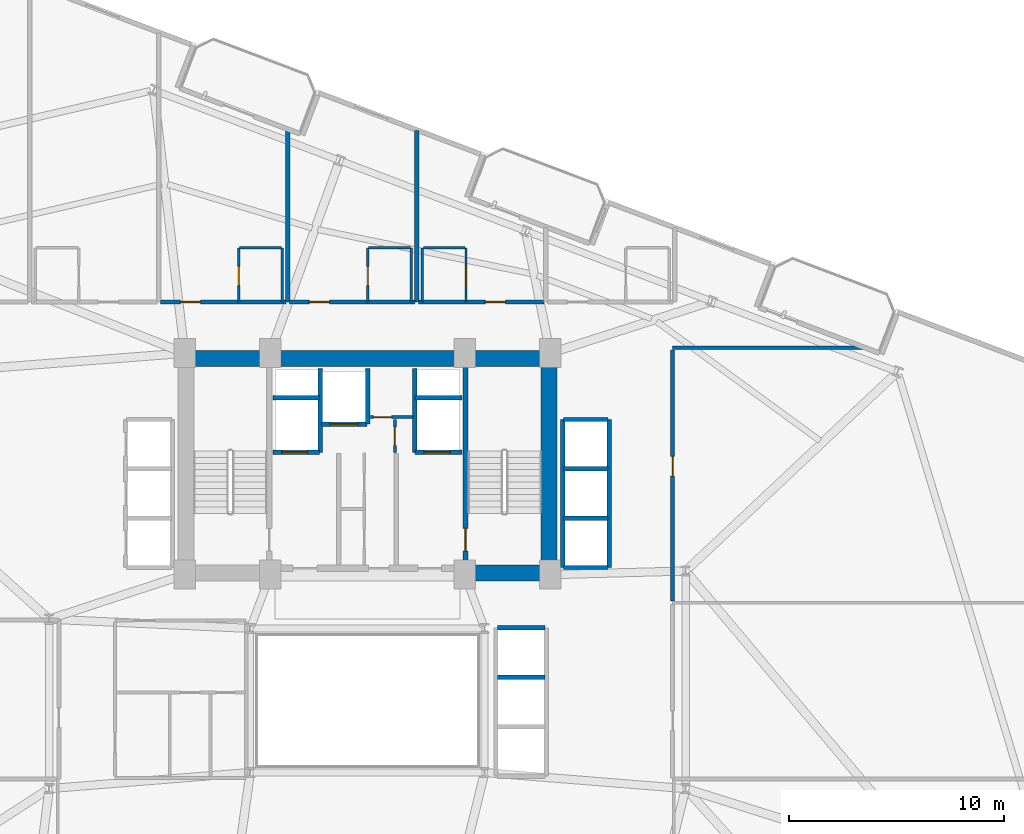
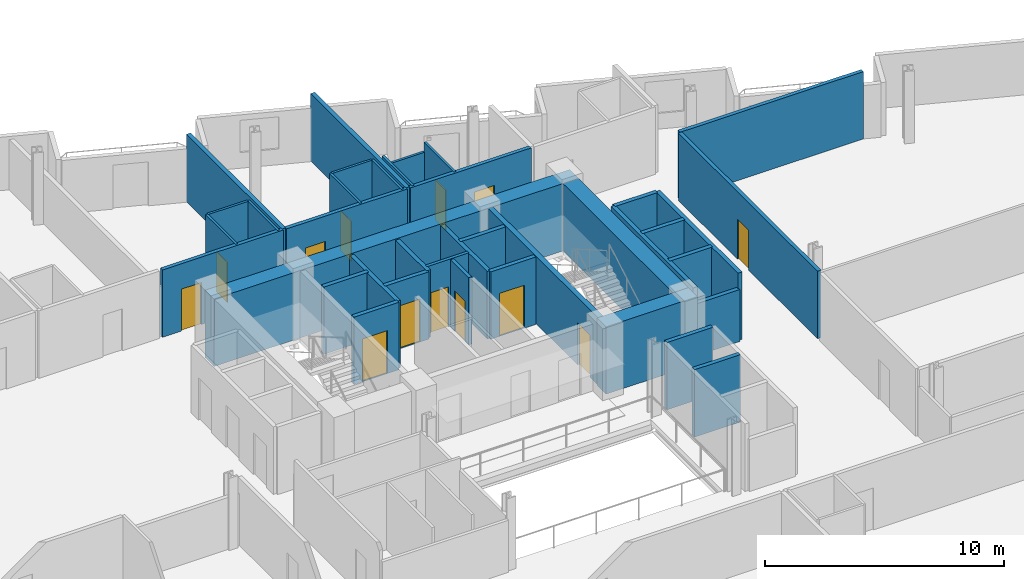
# One storey, part 19 of 24: 38 walls, 13 doors, 13 openings.
"""IFC4 building model written with IfcOpenShell, lengths in metres."""

from ifc_helpers import new_model, si_unit, direction, frame, frame_2d, origin, place, context, subcontext, project, spatial, rectangle, extrude, material, layer, layer_set, type_object, element, fill, save


model = new_model("IFC4")

# Units and contexts
model_context = context("Model", 3, precision=1e-05, world=origin(), true_north=direction((0.0, 1.0)))
body_context = subcontext(model_context, "Body", "Model", "MODEL_VIEW")
ifc_project = project(units=[si_unit("LENGTHUNIT", "METRE"), si_unit("AREAUNIT", "SQUARE_METRE"), si_unit("VOLUMEUNIT", "CUBIC_METRE"), si_unit("PLANEANGLEUNIT", "RADIAN"), si_unit("MASSUNIT", "GRAM", prefix="KILO")], contexts=[model_context])

# Site, building, storey
site_placement = place(None, origin())
site = spatial("IfcSite", under=ifc_project, at=site_placement, CompositionType="ELEMENT")
building_placement = place(site_placement, origin())
building = spatial("IfcBuilding", under=site, at=building_placement, Name="Varnelok Gate Tower", CompositionType="ELEMENT")
storey_placement = place(building_placement, frame((0.0, 0.0, 94.699951171875)))
storey = spatial("IfcBuildingStorey", under=building, at=storey_placement, Name="L23", CompositionType="ELEMENT", Elevation=94.699951171875)

# Wall, opening, door
ifc_material_1 = material(Name="Gypsum Plasterboard Acoustic Partition", Category="gypsum")
ifc_layer_1 = layer(ifc_material_1, 0.179931640625)
ifc_layer_set_1 = layer_set([ifc_layer_1], Name="Gypsum Plasterboard Acoustic Partition")
wall_type_1 = type_object("IfcWallType", Name="PW-CORR-180", PredefinedType="PARTITIONING", material=ifc_layer_set_1)
wall_1_placement = place(storey_placement, frame((29.580078125, 41.429931640625, 0.0), z_axis=(0.0, 0.0, 1.0), x_axis=(1.0, 0.0, 0.0)))
wall_1 = element("IfcWall", 1, at=wall_1_placement, inside=storey, type_object=wall_type_1, Name="Interior Partition", PredefinedType="PARTITIONING", context=body_context, shape_type="SweptSolid", body=[
    extrude(rectangle(XDim=5.83984375, YDim=0.179931640625, at=frame_2d((2.919921875, 0.0))), origin(), (0.0, 0.0, 1.0), 3.449951171875),
])
opening_1_placement = place(wall_1_placement, frame((0.917236328125, 0.0, 0.0)))
opening_1 = element("IfcOpeningElement", 2, at=opening_1_placement, cuts=wall_1, Name="Opening D-HT", PredefinedType="OPENING", context=body_context, shape_type="SweptSolid", body=[
    extrude(rectangle(XDim=0.949951171875, YDim=2.14990234375, at=frame_2d((0.47509765625, 1.074951171875))), frame((0.0, 0.099853515625, 0.0), z_axis=(0.0, -1.0, 0.0), x_axis=(1.0, 0.0, 0.0)), (0.0, 0.0, 1.0), 0.199951171875),
])
ifc_material_2 = material(Name="Engineered Hardwood Timber", Category="wood")
door_type_1 = type_object("IfcDoorType", Name="DR-HTL-950", OperationType="NOTDEFINED", PredefinedType="DOOR", material=ifc_material_2)
door_1_placement = place(opening_1_placement, origin())
door_1 = element("IfcDoor", 3, at=door_1_placement, inside=storey, type_object=door_type_1, Name="L23 Guest Room 07 Entrance Door", OperationType="SINGLE_SWING_RIGHT", OverallHeight=2.14990234375, OverallWidth=0.949951171875, PredefinedType="DOOR", context=body_context, shape_type="SweptSolid", body=[
    extrude(rectangle(XDim=0.949951171875, YDim=2.14990234375, at=frame_2d((0.47509765625, 1.074951171875))), frame((0.0, 0.02490234375, 0.0), z_axis=(0.0, -1.0, 0.0), x_axis=(1.0, 0.0, 0.0)), (0.0, 0.0, 1.0), 0.050048828125),
])
fill(opening_1, door_1)

wall_2_placement = place(storey_placement, frame((35.580078125, 41.429931640625, 0.0), z_axis=(0.0, 0.0, 1.0), x_axis=(1.0, 0.0, 0.0)))
wall_2 = element("IfcWall", 4, at=wall_2_placement, inside=storey, type_object=wall_type_1, Name="Interior Partition", PredefinedType="PARTITIONING", context=body_context, shape_type="SweptSolid", body=[
    extrude(rectangle(XDim=5.83984375, YDim=0.179931640625, at=frame_2d((2.919921875, 0.0))), origin(), (0.0, 0.0, 1.0), 3.449951171875),
])
opening_2_placement = place(wall_2_placement, frame((0.917236328125, 0.0, 0.0)))
opening_2 = element("IfcOpeningElement", 5, at=opening_2_placement, cuts=wall_2, Name="Opening D-HT", PredefinedType="OPENING", context=body_context, shape_type="SweptSolid", body=[
    extrude(rectangle(XDim=0.949951171875, YDim=2.14990234375, at=frame_2d((0.47509765625, 1.074951171875))), frame((0.0, 0.099853515625, 0.0), z_axis=(0.0, -1.0, 0.0), x_axis=(1.0, 0.0, 0.0)), (0.0, 0.0, 1.0), 0.199951171875),
])
door_2_placement = place(opening_2_placement, origin())
door_2 = element("IfcDoor", 6, at=door_2_placement, inside=storey, type_object=door_type_1, Name="L23 Guest Room 08 Entrance Door", OperationType="SINGLE_SWING_LEFT", OverallHeight=2.14990234375, OverallWidth=0.949951171875, PredefinedType="DOOR", context=body_context, shape_type="SweptSolid", body=[
    extrude(rectangle(XDim=0.949951171875, YDim=2.14990234375, at=frame_2d((0.47509765625, 1.074951171875))), frame((0.0, 0.02490234375, 0.0), z_axis=(0.0, -1.0, 0.0), x_axis=(1.0, 0.0, 0.0)), (0.0, 0.0, 1.0), 0.050048828125),
])
fill(opening_2, door_2)

wall_3_placement = place(storey_placement, frame((41.580078125, 41.429931640625, 0.0), z_axis=(0.0, 0.0, 1.0), x_axis=(1.0, 0.0, 0.0)))
wall_3 = element("IfcWall", 7, at=wall_3_placement, inside=storey, type_object=wall_type_1, Name="Interior Partition", PredefinedType="PARTITIONING", context=body_context, shape_type="SweptSolid", body=[
    extrude(rectangle(XDim=5.83984375, YDim=0.179931640625, at=frame_2d((2.919921875, 0.0))), origin(), (0.0, 0.0, 1.0), 3.449951171875),
])
opening_3_placement = place(wall_3_placement, frame((3.101318359375, 0.0, 0.0)))
opening_3 = element("IfcOpeningElement", 8, at=opening_3_placement, cuts=wall_3, Name="Opening D-HT", PredefinedType="OPENING", context=body_context, shape_type="SweptSolid", body=[
    extrude(rectangle(XDim=0.949951171875, YDim=2.14990234375, at=frame_2d((0.47509765625, 1.074951171875))), frame((0.0, 0.099853515625, 0.0), z_axis=(0.0, -1.0, 0.0), x_axis=(1.0, 0.0, 0.0)), (0.0, 0.0, 1.0), 0.199951171875),
])
door_3_placement = place(opening_3_placement, origin())
door_3 = element("IfcDoor", 9, at=door_3_placement, inside=storey, type_object=door_type_1, Name="L23 Guest Room 09 Entrance Door", OperationType="SINGLE_SWING_RIGHT", OverallHeight=2.14990234375, OverallWidth=0.949951171875, PredefinedType="DOOR", context=body_context, shape_type="SweptSolid", body=[
    extrude(rectangle(XDim=0.949951171875, YDim=2.14990234375, at=frame_2d((0.47509765625, 1.074951171875))), frame((0.0, 0.02490234375, 0.0), z_axis=(0.0, -1.0, 0.0), x_axis=(1.0, 0.0, 0.0)), (0.0, 0.0, 1.0), 0.050048828125),
])
fill(opening_3, door_3)

wall_4_placement = place(storey_placement, frame((53.389892578125, 27.530029296875, 0.0), z_axis=(0.0, 0.0, 1.0), x_axis=(0.0, 1.0, 0.0)))
wall_4 = element("IfcWall", 10, at=wall_4_placement, inside=storey, type_object=wall_type_1, Name="Interior Partition", PredefinedType="PARTITIONING", context=body_context, shape_type="SweptSolid", body=[
    extrude(rectangle(XDim=11.669921875, YDim=0.179931640625, at=frame_2d((5.8349609375, 0.0))), origin(), (0.0, 0.0, 1.0), 3.449951171875),
])
opening_4_placement = place(wall_4_placement, frame((5.800048828125, 0.0, 0.0)))
opening_4 = element("IfcOpeningElement", 11, at=opening_4_placement, cuts=wall_4, Name="Opening D-I3", PredefinedType="OPENING", context=body_context, shape_type="SweptSolid", body=[
    extrude(rectangle(XDim=0.919921875, YDim=2.050048828125, at=frame_2d((0.4599609375, 1.02490234375))), frame((0.0, 0.099853515625, 0.0), z_axis=(0.0, -1.0, 0.0), x_axis=(1.0, 0.0, 0.0)), (0.0, 0.0, 1.0), 0.199951171875),
])
door_type_2 = type_object("IfcDoorType", Name="DR-INT-920", OperationType="NOTDEFINED", PredefinedType="DOOR", material=ifc_material_2)
door_4_placement = place(opening_4_placement, origin())
door_4 = element("IfcDoor", 12, at=door_4_placement, inside=storey, type_object=door_type_2, Name="L23 East Suite 2 Door", OperationType="SINGLE_SWING_RIGHT", OverallHeight=2.050048828125, OverallWidth=0.919921875, PredefinedType="DOOR", context=body_context, shape_type="SweptSolid", body=[
    extrude(rectangle(XDim=0.919921875, YDim=2.050048828125, at=frame_2d((0.4599609375, 1.02490234375))), frame((0.0, 0.02490234375, 0.0), z_axis=(0.0, -1.0, 0.0), x_axis=(1.0, 0.0, 0.0)), (0.0, 0.0, 1.0), 0.050048828125),
])
fill(opening_4, door_4)

# Walls
wall_5_placement = place(storey_placement, frame((53.389892578125, 39.300048828125, 0.0), z_axis=(0.0, 0.0, 1.0), x_axis=(1.0, 0.0, 0.0)))
element("IfcWall", 13, at=wall_5_placement, inside=storey, type_object=wall_type_1, Name="Interior Partition", PredefinedType="PARTITIONING", context=body_context, shape_type="SweptSolid", body=[
    extrude(rectangle(XDim=8.87646484375, YDim=0.179931640625, at=frame_2d((4.438232421875, 0.0))), origin(), (0.0, 0.0, 1.0), 3.449951171875),
])
ifc_layer_2 = layer(ifc_material_1, 0.114990234375)
ifc_layer_set_2 = layer_set([ifc_layer_2], Name="Gypsum Plasterboard Acoustic Partition")
wall_type_2 = type_object("IfcWallType", Name="PW-ENS-125", PredefinedType="PARTITIONING", material=ifc_layer_set_2)
wall_6_placement = place(storey_placement, frame((33.256103515625, 43.949951171875, 0.0), z_axis=(0.0, 0.0, 1.0), x_axis=(1.0, 0.0, 0.0)))
element("IfcWall", 14, at=wall_6_placement, inside=storey, type_object=wall_type_2, Name="Interior Partition", PredefinedType="PARTITIONING", context=body_context, shape_type="SweptSolid", body=[
    extrude(rectangle(XDim=1.94384765625, YDim=0.114990234375, at=frame_2d((0.971923828125, 0.0))), origin(), (0.0, 0.0, 1.0), 3.449951171875),
])

# Wall, opening, door
wall_7_placement = place(storey_placement, frame((33.216064453125, 41.429931640625, 0.0), z_axis=(0.0, 0.0, 1.0), x_axis=(0.0, 1.0, 0.0)))
wall_7 = element("IfcWall", 15, at=wall_7_placement, inside=storey, type_object=wall_type_2, Name="Interior Partition", PredefinedType="PARTITIONING", context=body_context, shape_type="SweptSolid", body=[
    extrude(rectangle(XDim=2.52001953125, YDim=0.114990234375, at=frame_2d((1.260009765625, 0.0))), origin(), (0.0, 0.0, 1.0), 3.449951171875),
])
opening_5_placement = place(wall_7_placement, frame((0.760009765625, 0.0, 0.0)))
opening_5 = element("IfcOpeningElement", 16, at=opening_5_placement, cuts=wall_7, Name="Opening D-WC", PredefinedType="OPENING", context=body_context, shape_type="SweptSolid", body=[
    extrude(rectangle(XDim=0.89990234375, YDim=2.050048828125, at=frame_2d((0.449951171875, 1.02490234375))), frame((0.0, 0.0673828125, 0.0), z_axis=(0.0, -1.0, 0.0), x_axis=(1.0, 0.0, 0.0)), (0.0, 0.0, 1.0), 0.135009765625),
])
door_type_3 = type_object("IfcDoorType", Name="DR-BATH-900", OperationType="NOTDEFINED", PredefinedType="DOOR", material=ifc_material_2)
door_5_placement = place(opening_5_placement, origin())
door_5 = element("IfcDoor", 17, at=door_5_placement, inside=storey, type_object=door_type_3, Name="L23 North En-Suite 07 Door", OperationType="SINGLE_SWING_LEFT", OverallHeight=2.050048828125, OverallWidth=0.89990234375, PredefinedType="DOOR", context=body_context, shape_type="SweptSolid", body=[
    extrude(rectangle(XDim=0.89990234375, YDim=2.050048828125, at=frame_2d((0.449951171875, 1.02490234375))), frame((0.0, 0.02490234375, 0.0), z_axis=(0.0, -1.0, 0.0), x_axis=(1.0, 0.0, 0.0)), (0.0, 0.0, 1.0), 0.050048828125),
])
fill(opening_5, door_5)

# Walls
wall_8_placement = place(storey_placement, frame((35.239990234375, 41.429931640625, 0.0), z_axis=(0.0, 0.0, 1.0), x_axis=(0.0, 1.0, 0.0)))
element("IfcWall", 18, at=wall_8_placement, inside=storey, type_object=wall_type_2, Name="Interior Partition", PredefinedType="PARTITIONING", context=body_context, shape_type="SweptSolid", body=[
    extrude(rectangle(XDim=2.52001953125, YDim=0.114990234375, at=frame_2d((1.260009765625, 0.0))), origin(), (0.0, 0.0, 1.0), 3.449951171875),
])
wall_9_placement = place(storey_placement, frame((39.256103515625, 43.949951171875, 0.0), z_axis=(0.0, 0.0, 1.0), x_axis=(1.0, 0.0, 0.0)))
element("IfcWall", 19, at=wall_9_placement, inside=storey, type_object=wall_type_2, Name="Interior Partition", PredefinedType="PARTITIONING", context=body_context, shape_type="SweptSolid", body=[
    extrude(rectangle(XDim=1.94384765625, YDim=0.114990234375, at=frame_2d((0.971923828125, 0.0))), origin(), (0.0, 0.0, 1.0), 3.449951171875),
])

# Wall, opening, door
wall_10_placement = place(storey_placement, frame((39.216064453125, 41.429931640625, 0.0), z_axis=(0.0, 0.0, 1.0), x_axis=(0.0, 1.0, 0.0)))
wall_10 = element("IfcWall", 20, at=wall_10_placement, inside=storey, type_object=wall_type_2, Name="Interior Partition", PredefinedType="PARTITIONING", context=body_context, shape_type="SweptSolid", body=[
    extrude(rectangle(XDim=2.52001953125, YDim=0.114990234375, at=frame_2d((1.260009765625, 0.0))), origin(), (0.0, 0.0, 1.0), 3.449951171875),
])
opening_6_placement = place(wall_10_placement, frame((0.760009765625, 0.0, 0.0)))
opening_6 = element("IfcOpeningElement", 21, at=opening_6_placement, cuts=wall_10, Name="Opening D-WC", PredefinedType="OPENING", context=body_context, shape_type="SweptSolid", body=[
    extrude(rectangle(XDim=0.89990234375, YDim=2.050048828125, at=frame_2d((0.449951171875, 1.02490234375))), frame((0.0, 0.0673828125, 0.0), z_axis=(0.0, -1.0, 0.0), x_axis=(1.0, 0.0, 0.0)), (0.0, 0.0, 1.0), 0.135009765625),
])
door_6_placement = place(opening_6_placement, origin())
door_6 = element("IfcDoor", 22, at=door_6_placement, inside=storey, type_object=door_type_3, Name="L23 North En-Suite 08 Door", OperationType="SINGLE_SWING_LEFT", OverallHeight=2.050048828125, OverallWidth=0.89990234375, PredefinedType="DOOR", context=body_context, shape_type="SweptSolid", body=[
    extrude(rectangle(XDim=0.89990234375, YDim=2.050048828125, at=frame_2d((0.449951171875, 1.02490234375))), frame((0.0, 0.02490234375, 0.0), z_axis=(0.0, -1.0, 0.0), x_axis=(1.0, 0.0, 0.0)), (0.0, 0.0, 1.0), 0.050048828125),
])
fill(opening_6, door_6)

# Walls
wall_11_placement = place(storey_placement, frame((41.239990234375, 41.429931640625, 0.0), z_axis=(0.0, 0.0, 1.0), x_axis=(0.0, 1.0, 0.0)))
element("IfcWall", 23, at=wall_11_placement, inside=storey, type_object=wall_type_2, Name="Interior Partition", PredefinedType="PARTITIONING", context=body_context, shape_type="SweptSolid", body=[
    extrude(rectangle(XDim=2.52001953125, YDim=0.114990234375, at=frame_2d((1.260009765625, 0.0))), origin(), (0.0, 0.0, 1.0), 3.449951171875),
])
wall_12_placement = place(storey_placement, frame((41.800048828125, 43.949951171875, 0.0), z_axis=(0.0, 0.0, 1.0), x_axis=(1.0, 0.0, 0.0)))
element("IfcWall", 24, at=wall_12_placement, inside=storey, type_object=wall_type_2, Name="Interior Partition", PredefinedType="PARTITIONING", context=body_context, shape_type="SweptSolid", body=[
    extrude(rectangle(XDim=1.94384765625, YDim=0.114990234375, at=frame_2d((0.971923828125, 0.0))), origin(), (0.0, 0.0, 1.0), 2.97216796875),
])

# Wall, opening, door
wall_13_placement = place(storey_placement, frame((43.783935546875, 41.429931640625, 0.0), z_axis=(0.0, 0.0, 1.0), x_axis=(0.0, 1.0, 0.0)))
wall_13 = element("IfcWall", 25, at=wall_13_placement, inside=storey, type_object=wall_type_2, Name="Interior Partition", PredefinedType="PARTITIONING", context=body_context, shape_type="SweptSolid", body=[
    extrude(rectangle(XDim=2.52001953125, YDim=0.114990234375, at=frame_2d((1.260009765625, 0.0))), origin(), (0.0, 0.0, 1.0), 3.449951171875),
])
opening_7_placement = place(wall_13_placement, frame((0.760009765625, 0.0, 0.0)))
opening_7 = element("IfcOpeningElement", 26, at=opening_7_placement, cuts=wall_13, Name="Opening D-WC", PredefinedType="OPENING", context=body_context, shape_type="SweptSolid", body=[
    extrude(rectangle(XDim=0.89990234375, YDim=2.050048828125, at=frame_2d((0.449951171875, 1.02490234375))), frame((0.0, 0.0673828125, 0.0), z_axis=(0.0, -1.0, 0.0), x_axis=(1.0, 0.0, 0.0)), (0.0, 0.0, 1.0), 0.135009765625),
])
door_7_placement = place(opening_7_placement, origin())
door_7 = element("IfcDoor", 27, at=door_7_placement, inside=storey, type_object=door_type_3, Name="L23 North En-Suite 09 Door", OperationType="SINGLE_SWING_RIGHT", OverallHeight=2.050048828125, OverallWidth=0.89990234375, PredefinedType="DOOR", context=body_context, shape_type="SweptSolid", body=[
    extrude(rectangle(XDim=0.89990234375, YDim=2.050048828125, at=frame_2d((0.449951171875, 1.02490234375))), frame((0.0, 0.02490234375, 0.0), z_axis=(0.0, -1.0, 0.0), x_axis=(1.0, 0.0, 0.0)), (0.0, 0.0, 1.0), 0.050048828125),
])
fill(opening_7, door_7)

# Wall
wall_14_placement = place(storey_placement, frame((41.760009765625, 41.429931640625, 0.0), z_axis=(0.0, 0.0, 1.0), x_axis=(0.0, 1.0, 0.0)))
element("IfcWall", 28, at=wall_14_placement, inside=storey, type_object=wall_type_2, Name="Interior Partition", PredefinedType="PARTITIONING", context=body_context, shape_type="SweptSolid", body=[
    extrude(rectangle(XDim=2.52001953125, YDim=0.114990234375, at=frame_2d((1.260009765625, 0.0))), origin(), (0.0, 0.0, 1.0), 3.449951171875),
])

# Wall, opening, door
ifc_layer_3 = layer(ifc_material_1, 0.14990234375)
ifc_layer_set_3 = layer_set([ifc_layer_3], Name="Gypsum Plasterboard Acoustic Partition")
wall_type_3 = type_object("IfcWallType", Name="PW-PART-150", PredefinedType="PARTITIONING", material=ifc_layer_set_3)
wall_15_placement = place(storey_placement, frame((39.300048828125, 36.080078125, 0.0), z_axis=(0.0, 0.0, 1.0), x_axis=(1.0, 0.0, 0.0)))
wall_15 = element("IfcWall", 29, at=wall_15_placement, inside=storey, type_object=wall_type_3, Name="L23 Electrical Closet South Wall", PredefinedType="PARTITIONING", context=body_context, shape_type="SweptSolid", body=[
    extrude(rectangle(XDim=2.02001953125, YDim=0.14990234375, at=frame_2d((1.010009765625, 0.0))), origin(), (0.0, 0.0, 1.0), 3.449951171875),
])
opening_8_placement = place(wall_15_placement, frame((0.179931640625, 0.0, 0.0)))
opening_8 = element("IfcOpeningElement", 30, at=opening_8_placement, cuts=wall_15, Name="Opening D-RS", PredefinedType="OPENING", context=body_context, shape_type="SweptSolid", body=[
    extrude(rectangle(XDim=0.85009765625, YDim=2.050048828125, at=frame_2d((0.425048828125, 1.02490234375))), frame((0.0, 0.0849609375, 0.0), z_axis=(0.0, -1.0, 0.0), x_axis=(1.0, 0.0, 0.0)), (0.0, 0.0, 1.0), 0.169921875),
])
ifc_material_3 = material(Name="Galvanized Steel Grade S350GD", Category="steel")
door_type_4 = type_object("IfcDoorType", Name="DR-RISER-850", OperationType="NOTDEFINED", PredefinedType="DOOR", material=ifc_material_3)
door_8_placement = place(opening_8_placement, origin())
door_8 = element("IfcDoor", 31, at=door_8_placement, inside=storey, type_object=door_type_4, Name="L23 Electrical Closet Door", OperationType="SINGLE_SWING_RIGHT", OverallHeight=2.050048828125, OverallWidth=0.85009765625, PredefinedType="DOOR", context=body_context, shape_type="SweptSolid", body=[
    extrude(rectangle(XDim=0.85009765625, YDim=2.050048828125, at=frame_2d((0.425048828125, 1.02490234375))), frame((0.0, 0.02490234375, 0.0), z_axis=(0.0, -1.0, 0.0), x_axis=(1.0, 0.0, 0.0)), (0.0, 0.0, 1.0), 0.050048828125),
])
fill(opening_8, door_8)

wall_16_placement = place(storey_placement, frame((40.47998046875, 34.43994140625, 0.0), z_axis=(0.0, 0.0, 1.0), x_axis=(0.0, 1.0, 0.0)))
wall_16 = element("IfcWall", 32, at=wall_16_placement, inside=storey, type_object=wall_type_3, Name="L23 Telecoms Closet West Wall", PredefinedType="PARTITIONING", context=body_context, shape_type="SweptSolid", body=[
    extrude(rectangle(XDim=1.52001953125, YDim=0.14990234375, at=frame_2d((0.760009765625, 0.0))), origin(), (0.0, 0.0, 1.0), 3.449951171875),
])
opening_9_placement = place(wall_16_placement, frame((0.320068359375, 0.0, 0.0)))
opening_9 = element("IfcOpeningElement", 33, at=opening_9_placement, cuts=wall_16, Name="Opening D-RS", PredefinedType="OPENING", context=body_context, shape_type="SweptSolid", body=[
    extrude(rectangle(XDim=0.85009765625, YDim=2.050048828125, at=frame_2d((0.425048828125, 1.02490234375))), frame((0.0, 0.0849609375, 0.0), z_axis=(0.0, -1.0, 0.0), x_axis=(1.0, 0.0, 0.0)), (0.0, 0.0, 1.0), 0.169921875),
])
door_9_placement = place(opening_9_placement, origin())
door_9 = element("IfcDoor", 34, at=door_9_placement, inside=storey, type_object=door_type_4, Name="L23 Telecoms Closet Door", OperationType="SINGLE_SWING_LEFT", OverallHeight=2.050048828125, OverallWidth=0.85009765625, PredefinedType="DOOR", context=body_context, shape_type="SweptSolid", body=[
    extrude(rectangle(XDim=0.85009765625, YDim=2.050048828125, at=frame_2d((0.425048828125, 1.02490234375))), frame((0.0, 0.02490234375, 0.0), z_axis=(0.0, -1.0, 0.0), x_axis=(1.0, 0.0, 0.0)), (0.0, 0.0, 1.0), 0.050048828125),
])
fill(opening_9, door_9)

# Walls
ifc_layer_4 = layer(ifc_material_1, 0.205078125)
ifc_layer_set_4 = layer_set([ifc_layer_4], Name="Gypsum Plasterboard Acoustic Partition")
wall_type_4 = type_object("IfcWallType", Name="PW-PARTY-200", PredefinedType="PARTITIONING", material=ifc_layer_set_4)
wall_17_placement = place(storey_placement, frame((35.5, 41.429931640625, 0.0), z_axis=(0.0, 0.0, 1.0), x_axis=(0.0, 1.0, 0.0)))
element("IfcWall", 35, at=wall_17_placement, inside=storey, type_object=wall_type_4, Name="L23 North Party Wall 3", PredefinedType="PARTITIONING", context=body_context, shape_type="SweptSolid", body=[
    extrude(rectangle(XDim=8.00341796875, YDim=0.205078125, at=frame_2d((4.001708984375, 0.0))), origin(), (0.0, 0.0, 1.0), 3.449951171875),
])
wall_18_placement = place(storey_placement, frame((41.5, 41.429931640625, 0.0), z_axis=(0.0, 0.0, 1.0), x_axis=(0.0, 1.0, 0.0)))
element("IfcWall", 36, at=wall_18_placement, inside=storey, type_object=wall_type_4, Name="L23 North Party Wall 4", PredefinedType="PARTITIONING", context=body_context, shape_type="SweptSolid", body=[
    extrude(rectangle(XDim=7.977294921875, YDim=0.205078125, at=frame_2d((3.98876953125, 0.0))), origin(), (0.0, 0.0, 1.0), 3.449951171875),
])

# Wall, opening, door
ifc_material_4 = material(Name="Concrete C35/45", Category="concrete")
ifc_layer_5 = layer(ifc_material_4, 0.199951171875)
ifc_layer_set_5 = layer_set([ifc_layer_5], Name="Concrete C35/45")
wall_type_5 = type_object("IfcWallType", Name="PW-SHAFT-200", PredefinedType="PARTITIONING", material=ifc_layer_set_5)
wall_19_placement = place(storey_placement, frame((34.800048828125, 34.43994140625, 0.0), z_axis=(0.0, 0.0, 1.0), x_axis=(1.0, 0.0, 0.0)))
wall_19 = element("IfcWall", 37, at=wall_19_placement, inside=storey, type_object=wall_type_5, Name="L23 FF1 Shaft Front Wall", PredefinedType="PARTITIONING", context=body_context, shape_type="SweptSolid", body=[
    extrude(rectangle(XDim=2.179931640625, YDim=0.199951171875, at=frame_2d((1.08984375, 0.0))), origin(), (0.0, 0.0, 1.0), 3.449951171875),
])
opening_10_placement = place(wall_19_placement, frame((0.419921875, 0.0, 0.0)))
opening_10 = element("IfcOpeningElement", 38, at=opening_10_placement, cuts=wall_19, Name="Opening LD-FF1", PredefinedType="OPENING", context=body_context, shape_type="SweptSolid", body=[
    extrude(rectangle(XDim=1.199951171875, YDim=2.199951171875, at=frame_2d((0.60009765625, 1.10009765625))), frame((0.0, 0.10986328125, 0.0), z_axis=(0.0, -1.0, 0.0), x_axis=(1.0, 0.0, 0.0)), (0.0, 0.0, 1.0), 0.219970703125),
])
door_type_5 = type_object("IfcDoorType", Name="DR-LIFT-FF1200", OperationType="SLIDING_TO_LEFT", PredefinedType="DOOR", material=ifc_material_3)
door_10_placement = place(opening_10_placement, origin())
door_10 = element("IfcDoor", 39, at=door_10_placement, inside=storey, type_object=door_type_5, Name="L23 Firefighting Lift Landing Door LD-FF1", OperationType="SLIDING_TO_LEFT", OverallHeight=2.199951171875, OverallWidth=1.199951171875, PredefinedType="DOOR", context=body_context, shape_type="SweptSolid", body=[
    extrude(rectangle(XDim=1.199951171875, YDim=2.199951171875, at=frame_2d((0.60009765625, 1.10009765625))), frame((0.0, 0.02490234375, 0.0), z_axis=(0.0, -1.0, 0.0), x_axis=(1.0, 0.0, 0.0)), (0.0, 0.0, 1.0), 0.050048828125),
])
fill(opening_10, door_10)

# Walls
wall_20_placement = place(storey_placement, frame((34.800048828125, 36.97998046875, 0.0), z_axis=(0.0, 0.0, 1.0), x_axis=(1.0, 0.0, 0.0)))
element("IfcWall", 40, at=wall_20_placement, inside=storey, type_object=wall_type_5, Name="L23 FF1 Shaft North Wall", PredefinedType="PARTITIONING", context=body_context, shape_type="SweptSolid", body=[
    extrude(rectangle(XDim=2.179931640625, YDim=0.199951171875, at=frame_2d((1.08984375, 0.0))), origin(), (0.0, 0.0, 1.0), 3.449951171875),
])
wall_21_placement = place(storey_placement, frame((37.0, 34.43994140625, 0.0), z_axis=(0.0, 0.0, 1.0), x_axis=(0.0, 1.0, 0.0)))
element("IfcWall", 41, at=wall_21_placement, inside=storey, type_object=wall_type_5, Name="L23 FF1 Shaft Side Wall", PredefinedType="PARTITIONING", context=body_context, shape_type="SweptSolid", body=[
    extrude(rectangle(XDim=3.900146484375, YDim=0.199951171875, at=frame_2d((1.9501953125, 0.0))), origin(), (0.0, 0.0, 1.0), 3.449951171875),
])

# Wall, opening, door
wall_22_placement = place(storey_placement, frame((41.419921875, 34.43994140625, 0.0), z_axis=(0.0, 0.0, 1.0), x_axis=(1.0, 0.0, 0.0)))
wall_22 = element("IfcWall", 42, at=wall_22_placement, inside=storey, type_object=wall_type_5, Name="L23 FF2 Shaft Front Wall", PredefinedType="PARTITIONING", context=body_context, shape_type="SweptSolid", body=[
    extrude(rectangle(XDim=2.18017578125, YDim=0.199951171875, at=frame_2d((1.090087890625, 0.0))), origin(), (0.0, 0.0, 1.0), 3.449951171875),
])
opening_11_placement = place(wall_22_placement, frame((0.419921875, 0.0, 0.0)))
opening_11 = element("IfcOpeningElement", 43, at=opening_11_placement, cuts=wall_22, Name="Opening LD-FF2", PredefinedType="OPENING", context=body_context, shape_type="SweptSolid", body=[
    extrude(rectangle(XDim=1.199951171875, YDim=2.199951171875, at=frame_2d((0.60009765625, 1.10009765625))), frame((0.0, 0.10986328125, 0.0), z_axis=(0.0, -1.0, 0.0), x_axis=(1.0, 0.0, 0.0)), (0.0, 0.0, 1.0), 0.219970703125),
])
door_11_placement = place(opening_11_placement, origin())
door_11 = element("IfcDoor", 44, at=door_11_placement, inside=storey, type_object=door_type_5, Name="L23 Firefighting Lift Landing Door LD-FF2", OperationType="SLIDING_TO_LEFT", OverallHeight=2.199951171875, OverallWidth=1.199951171875, PredefinedType="DOOR", context=body_context, shape_type="SweptSolid", body=[
    extrude(rectangle(XDim=1.199951171875, YDim=2.199951171875, at=frame_2d((0.60009765625, 1.10009765625))), frame((0.0, 0.02490234375, 0.0), z_axis=(0.0, -1.0, 0.0), x_axis=(1.0, 0.0, 0.0)), (0.0, 0.0, 1.0), 0.050048828125),
])
fill(opening_11, door_11)

# Walls
wall_23_placement = place(storey_placement, frame((41.419921875, 36.97998046875, 0.0), z_axis=(0.0, 0.0, 1.0), x_axis=(1.0, 0.0, 0.0)))
element("IfcWall", 45, at=wall_23_placement, inside=storey, type_object=wall_type_5, Name="L23 FF2 Shaft North Wall", PredefinedType="PARTITIONING", context=body_context, shape_type="SweptSolid", body=[
    extrude(rectangle(XDim=2.18017578125, YDim=0.199951171875, at=frame_2d((1.090087890625, 0.0))), origin(), (0.0, 0.0, 1.0), 3.449951171875),
])
wall_24_placement = place(storey_placement, frame((41.39990234375, 34.43994140625, 0.0), z_axis=(0.0, 0.0, 1.0), x_axis=(0.0, 1.0, 0.0)))
element("IfcWall", 46, at=wall_24_placement, inside=storey, type_object=wall_type_5, Name="L23 FF2 Shaft Side Wall", PredefinedType="PARTITIONING", context=body_context, shape_type="SweptSolid", body=[
    extrude(rectangle(XDim=3.900146484375, YDim=0.199951171875, at=frame_2d((1.9501953125, 0.0))), origin(), (0.0, 0.0, 1.0), 3.449951171875),
])

# Wall, opening, door
wall_25_placement = place(storey_placement, frame((37.06005859375, 35.75, 0.0), z_axis=(0.0, 0.0, 1.0), x_axis=(1.0, 0.0, 0.0)))
wall_25 = element("IfcWall", 47, at=wall_25_placement, inside=storey, type_object=wall_type_5, Name="L23 SV1 Shaft Front Wall", PredefinedType="PARTITIONING", context=body_context, shape_type="SweptSolid", body=[
    extrude(rectangle(XDim=2.119873046875, YDim=0.199951171875, at=frame_2d((1.06005859375, 0.0))), origin(), (0.0, 0.0, 1.0), 3.449951171875),
])
opening_12_placement = place(wall_25_placement, frame((0.39990234375, 0.0, 0.0)))
opening_12 = element("IfcOpeningElement", 48, at=opening_12_placement, cuts=wall_25, Name="Opening LD-SV1", PredefinedType="OPENING", context=body_context, shape_type="SweptSolid", body=[
    extrude(rectangle(XDim=1.300048828125, YDim=2.199951171875, at=frame_2d((0.64990234375, 1.10009765625))), frame((0.0, 0.10986328125, 0.0), z_axis=(0.0, -1.0, 0.0), x_axis=(1.0, 0.0, 0.0)), (0.0, 0.0, 1.0), 0.219970703125),
])
door_type_6 = type_object("IfcDoorType", Name="DR-LIFT-SV1300", OperationType="SLIDING_TO_LEFT", PredefinedType="DOOR", material=ifc_material_3)
door_12_placement = place(opening_12_placement, origin())
door_12 = element("IfcDoor", 49, at=door_12_placement, inside=storey, type_object=door_type_6, Name="L23 Service Lift Landing Door LD-SV1", OperationType="SLIDING_TO_LEFT", OverallHeight=2.199951171875, OverallWidth=1.300048828125, PredefinedType="DOOR", context=body_context, shape_type="SweptSolid", body=[
    extrude(rectangle(XDim=1.300048828125, YDim=2.199951171875, at=frame_2d((0.64990234375, 1.10009765625))), frame((0.0, 0.02490234375, 0.0), z_axis=(0.0, -1.0, 0.0), x_axis=(1.0, 0.0, 0.0)), (0.0, 0.0, 1.0), 0.050048828125),
])
fill(opening_12, door_12)

# Walls
wall_26_placement = place(storey_placement, frame((39.219970703125, 35.75, 0.0), z_axis=(0.0, 0.0, 1.0), x_axis=(0.0, 1.0, 0.0)))
element("IfcWall", 50, at=wall_26_placement, inside=storey, type_object=wall_type_5, Name="L23 SV1 Shaft East Wall", PredefinedType="PARTITIONING", context=body_context, shape_type="SweptSolid", body=[
    extrude(rectangle(XDim=2.590087890625, YDim=0.199951171875, at=frame_2d((1.294921875, 0.0))), origin(), (0.0, 0.0, 1.0), 3.449951171875),
])
for number, where, z_axis, x_axis, name in (
    (51, (48.320068359375, 31.375, 0.0), (0.0, 0.0, 1.0), (1.0, 0.0, 0.0), "L23 PM1 Divider"),
    (52, (48.320068359375, 33.675048828125, 0.0), (0.0, 0.0, 1.0), (1.0, 0.0, 0.0), "L23 PM2 Divider"),
):
    element("IfcWall", number, at=place(storey_placement, frame(where, z_axis=z_axis, x_axis=x_axis)), inside=storey, type_object=wall_type_5, Name=name, PredefinedType="PARTITIONING", context=body_context, shape_type="SweptSolid", body=[
        extrude(rectangle(XDim=2.059814453125, YDim=0.199951171875, at=frame_2d((1.02978515625, 0.0))), origin(), (0.0, 0.0, 1.0), 3.449951171875),
    ])
wall_27_placement = place(storey_placement, frame((48.320068359375, 29.080078125, 0.0), z_axis=(0.0, 0.0, 1.0), x_axis=(1.0, 0.0, 0.0)))
element("IfcWall", 53, at=wall_27_placement, inside=storey, type_object=wall_type_5, Name="L23 PM Bank South Wall", PredefinedType="PARTITIONING", context=body_context, shape_type="SweptSolid", body=[
    extrude(rectangle(XDim=2.059814453125, YDim=0.199951171875, at=frame_2d((1.02978515625, 0.0))), origin(), (0.0, 0.0, 1.0), 2.662109375),
])
wall_28_placement = place(storey_placement, frame((48.320068359375, 35.969970703125, 0.0), z_axis=(0.0, 0.0, 1.0), x_axis=(1.0, 0.0, 0.0)))
element("IfcWall", 54, at=wall_28_placement, inside=storey, type_object=wall_type_5, Name="L23 PM Bank North Wall", PredefinedType="PARTITIONING", context=body_context, shape_type="SweptSolid", body=[
    extrude(rectangle(XDim=2.059814453125, YDim=0.199951171875, at=frame_2d((1.02978515625, 0.0))), origin(), (0.0, 0.0, 1.0), 3.449951171875),
])
for number, where, z_axis, x_axis, name in (
    (55, (48.280029296875, 29.080078125, 0.0), (0.0, 0.0, 1.0), (0.0, 1.0, 0.0), "L23 PM Bank Back Wall"),
    (56, (50.43994140625, 29.080078125, 0.0), (0.0, 0.0, 1.0), (0.0, 1.0, 0.0), "L23 PM Bank Front Wall"),
):
    element("IfcWall", number, at=place(storey_placement, frame(where, z_axis=z_axis, x_axis=x_axis)), inside=storey, type_object=wall_type_5, Name=name, PredefinedType="PARTITIONING", context=body_context, shape_type="SweptSolid", body=[
        extrude(rectangle(XDim=6.889892578125, YDim=0.199951171875, at=frame_2d((3.44482421875, 0.0))), origin(), (0.0, 0.0, 1.0), 3.449951171875),
    ])
for number, where, z_axis, x_axis, name in (
    (57, (45.239990234375, 23.97509765625, 0.0), (0.0, 0.0, 1.0), (1.0, 0.0, 0.0), "L23 PH2 Divider"),
    (58, (45.239990234375, 26.280029296875, 0.0), (0.0, 0.0, 1.0), (1.0, 0.0, 0.0), "L23 PH Bank North Wall"),
):
    element("IfcWall", number, at=place(storey_placement, frame(where, z_axis=z_axis, x_axis=x_axis)), inside=storey, type_object=wall_type_5, Name=name, PredefinedType="PARTITIONING", context=body_context, shape_type="SweptSolid", body=[
        extrude(rectangle(XDim=2.219970703125, YDim=0.199951171875, at=frame_2d((1.10986328125, 0.0))), origin(), (0.0, 0.0, 1.0), 3.449951171875),
    ])
ifc_material_5 = material(Name="Concrete C70/85", Category="concrete")
ifc_layer_6 = layer(ifc_material_5, 0.75)
ifc_layer_set_6 = layer_set([ifc_layer_6], Name="Concrete C70/85")
wall_type_6 = type_object("IfcWallType", Name="SW-CORE-750", PredefinedType="SHEAR", material=ifc_layer_set_6)
wall_29_placement = place(storey_placement, frame((30.3798828125, 38.794921875, 0.0), z_axis=(0.0, 0.0, 1.0), x_axis=(1.0, 0.0, 0.0)))
element("IfcWall", 59, at=wall_29_placement, inside=storey, type_object=wall_type_6, Name="L23 Rear Core North Shear Wall", PredefinedType="SHEAR", context=body_context, shape_type="SweptSolid", body=[
    extrude(rectangle(XDim=17.64013671875, YDim=0.75, at=frame_2d((8.820068359375, 0.0))), origin(), (0.0, 0.0, 1.0), 3.449951171875),
])
wall_30_placement = place(storey_placement, frame((47.64501953125, 29.199951171875, 0.0), z_axis=(0.0, 0.0, 1.0), x_axis=(0.0, 1.0, 0.0)))
element("IfcWall", 60, at=wall_30_placement, inside=storey, type_object=wall_type_6, Name="L23 Rear Core East Shear Wall", PredefinedType="SHEAR", context=body_context, shape_type="SweptSolid", body=[
    extrude(rectangle(XDim=9.219970703125, YDim=0.75, at=frame_2d((4.60986328125, 0.0))), origin(), (0.0, 0.0, 1.0), 3.449951171875),
])
wall_31_placement = place(storey_placement, frame((43.60009765625, 28.824951171875, 0.0), z_axis=(0.0, 0.0, 1.0), x_axis=(1.0, 0.0, 0.0)))
element("IfcWall", 61, at=wall_31_placement, inside=storey, type_object=wall_type_6, Name="L23 Rear Core South-East Shear Wall", PredefinedType="SHEAR", context=body_context, shape_type="SweptSolid", body=[
    extrude(rectangle(XDim=4.419921875, YDim=0.75, at=frame_2d((2.2099609375, 0.0))), origin(), (0.0, 0.0, 1.0), 3.449951171875),
])

# Wall, opening, door
ifc_material_6 = material(Name="Concrete C60/75", Category="concrete")
ifc_layer_7 = layer(ifc_material_6, 0.25)
ifc_layer_set_7 = layer_set([ifc_layer_7], Name="Concrete C60/75")
wall_type_7 = type_object("IfcWallType", Name="SW-SHAFT-250", PredefinedType="SHEAR", material=ifc_layer_set_7)
wall_32_placement = place(storey_placement, frame((43.760009765625, 29.199951171875, 0.0), z_axis=(0.0, 0.0, 1.0), x_axis=(0.0, 1.0, 0.0)))
wall_32 = element("IfcWall", 62, at=wall_32_placement, inside=storey, type_object=wall_type_7, Name="L23 Stair ST-2 West Shear Wall", PredefinedType="SHEAR", context=body_context, shape_type="SweptSolid", body=[
    extrude(rectangle(XDim=9.219970703125, YDim=0.25, at=frame_2d((4.60986328125, 0.0))), origin(), (0.0, 0.0, 1.0), 3.449951171875),
])
opening_13_placement = place(wall_32_placement, frame((0.64990234375, 0.0, 0.0)))
opening_13 = element("IfcOpeningElement", 63, at=opening_13_placement, cuts=wall_32, Name="Opening D-ST", PredefinedType="OPENING", context=body_context, shape_type="SweptSolid", body=[
    extrude(rectangle(XDim=1.050048828125, YDim=2.14990234375, at=frame_2d((0.52490234375, 1.074951171875))), frame((0.0, 0.135009765625, 0.0), z_axis=(0.0, -1.0, 0.0), x_axis=(1.0, 0.0, 0.0)), (0.0, 0.0, 1.0), 0.27001953125),
])
door_type_7 = type_object("IfcDoorType", Name="DR-STAIR-1050", OperationType="NOTDEFINED", PredefinedType="DOOR", material=ifc_material_3)
door_13_placement = place(opening_13_placement, origin())
door_13 = element("IfcDoor", 64, at=door_13_placement, inside=storey, type_object=door_type_7, Name="L23 Exit Stair ST-2 Fire Door", OperationType="SINGLE_SWING_RIGHT", OverallHeight=2.14990234375, OverallWidth=1.050048828125, PredefinedType="DOOR", context=body_context, shape_type="SweptSolid", body=[
    extrude(rectangle(XDim=1.050048828125, YDim=2.14990234375, at=frame_2d((0.52490234375, 1.074951171875))), frame((0.0, 0.02490234375, 0.0), z_axis=(0.0, -1.0, 0.0), x_axis=(1.0, 0.0, 0.0)), (0.0, 0.0, 1.0), 0.050048828125),
])
fill(opening_13, door_13)

save(model, "model.ifc")
